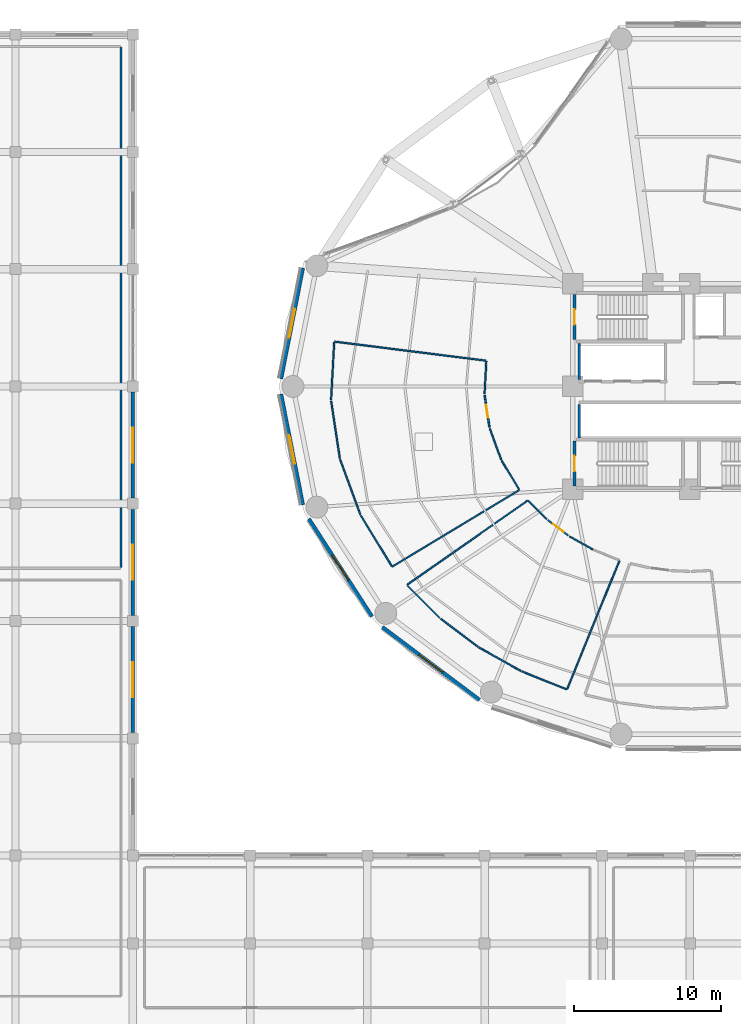
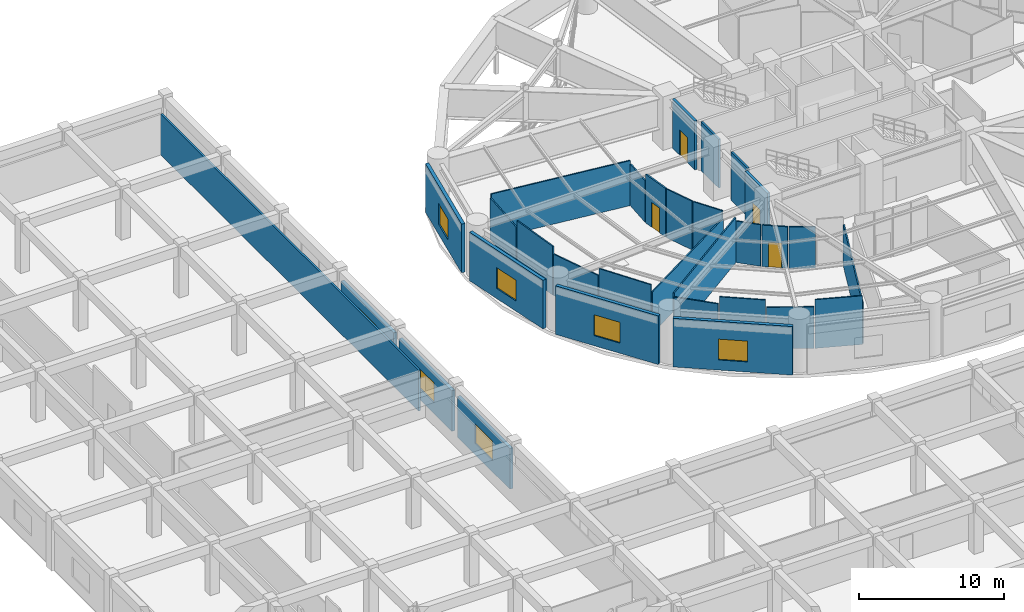
# One storey, part 42 of 53: 31 walls, 7 windows, 4 doors, 11 openings.
"""IFC4 building model written with IfcOpenShell, lengths in metres."""

from ifc_helpers import new_model, si_unit, direction, frame, frame_2d, origin, place, context, subcontext, project, spatial, rectangle, extrude, material, layer, layer_set, type_object, element, fill, save


model = new_model("IFC4")

# Units and contexts
model_context = context("Model", 3, precision=1e-05, world=origin(), true_north=direction((0.0, 1.0)))
body_context = subcontext(model_context, "Body", "Model", "MODEL_VIEW")
ifc_project = project(units=[si_unit("LENGTHUNIT", "METRE"), si_unit("AREAUNIT", "SQUARE_METRE"), si_unit("VOLUMEUNIT", "CUBIC_METRE"), si_unit("PLANEANGLEUNIT", "RADIAN"), si_unit("MASSUNIT", "GRAM", prefix="KILO")], contexts=[model_context])

# Site, building, storey
site_placement = place(None, origin())
site = spatial("IfcSite", under=ifc_project, at=site_placement, CompositionType="ELEMENT")
building_placement = place(site_placement, origin())
building = spatial("IfcBuilding", under=site, at=building_placement, Name="Kelanora Arch Commons", CompositionType="ELEMENT")
storey_placement = place(building_placement, frame((0.0, 0.0, 9.0)))
storey = spatial("IfcBuildingStorey", under=building, at=storey_placement, Name="L02", CompositionType="ELEMENT", Elevation=9.0)

# Walls
ifc_material_1 = material(Name="Autoclaved aerated concrete blockwork with fire plaster", Category="masonry")
ifc_layer_1 = layer(ifc_material_1, 0.14990234375)
ifc_layer_set_1 = layer_set([ifc_layer_1], Name="Autoclaved aerated concrete blockwork with fire plaster")
wall_type_1 = type_object("IfcWallType", Name="W-COMP-150", PredefinedType="PARTITIONING", material=ifc_layer_set_1)
wall_1_placement = place(storey_placement, frame((66.4599609375, 58.47998046875, 0.0), z_axis=(0.0, 0.0, 1.0), x_axis=(0.0, 1.0, 0.0)))
element("IfcWall", 1, at=wall_1_placement, inside=storey, type_object=wall_type_1, Name="Low-Rise Lift Bank West Wall L02", PredefinedType="PARTITIONING", context=body_context, shape_type="SweptSolid", body=[
    extrude(rectangle(XDim=2.4599609375, YDim=0.14990234375, at=frame_2d((1.22998046875, 0.0))), origin(), (0.0, 0.0, 1.0), 4.090087890625),
])
wall_2_placement = place(storey_placement, frame((66.4599609375, 54.47998046875, 0.0), z_axis=(0.0, 0.0, 1.0), x_axis=(0.0, 1.0, 0.0)))
element("IfcWall", 2, at=wall_2_placement, inside=storey, type_object=wall_type_1, Name="South Lift Bank West Wall L02", PredefinedType="PARTITIONING", context=body_context, shape_type="SweptSolid", body=[
    extrude(rectangle(XDim=2.2900390625, YDim=0.14990234375, at=frame_2d((1.14501953125, 0.0))), origin(), (0.0, 0.0, 1.0), 4.090087890625),
])
wall_3_placement = place(storey_placement, frame((35.199951171875, 45.639892578125, 0.0), z_axis=(0.0, 0.0, 1.0), x_axis=(0.0, 1.0, 0.0)))
element("IfcWall", 3, at=wall_3_placement, inside=storey, type_object=wall_type_1, Name="Market Maker Kiln and Material Store L02 Enclosure Partition 2", PredefinedType="PARTITIONING", context=body_context, shape_type="SweptSolid", body=[
    extrude(rectangle(XDim=35.52001953125, YDim=0.14990234375, at=frame_2d((17.760009765625, 0.0))), origin(), (0.0, 0.0, 1.0), 3.425048828125),
])

# Wall, opening, window
ifc_material_2 = material(Name="Precast concrete C40/50 with terracotta ceramic cladding", Category="masonry")
ifc_layer_2 = layer(ifc_material_2, 0.25)
ifc_layer_set_2 = layer_set([ifc_layer_2], Name="Precast concrete C40/50 with terracotta ceramic cladding")
wall_type_2 = type_object("IfcWallType", Name="W-EXT-MKT", PredefinedType="SOLIDWALL", material=ifc_layer_set_2)
wall_4_placement = place(storey_placement, frame((36.0, 34.3798828125, 0.0), z_axis=(0.0, 0.0, 1.0), x_axis=(0.0, 1.0, 0.0)))
wall_4 = element("IfcWall", 4, at=wall_4_placement, inside=storey, type_object=wall_type_2, Name="Market Hall Exterior Wall L02-24", PredefinedType="SOLIDWALL", context=body_context, shape_type="SweptSolid", body=[
    extrude(rectangle(XDim=7.240234375, YDim=0.25, at=frame_2d((3.6201171875, 0.0))), origin(), (0.0, 0.0, 1.0), 3.419921875),
])
opening_1_placement = place(wall_4_placement, frame((2.419921875, 0.0, 0.949951171875)))
opening_1 = element("IfcOpeningElement", 5, at=opening_1_placement, cuts=wall_4, Name="Opening WN-03", PredefinedType="OPENING", context=body_context, shape_type="SweptSolid", body=[
    extrude(rectangle(XDim=2.39990234375, YDim=1.64990234375, at=frame_2d((1.199951171875, 0.824951171875))), frame((0.0, 0.135009765625, 0.0), z_axis=(0.0, -1.0, 0.0), x_axis=(1.0, 0.0, 0.0)), (0.0, 0.0, 1.0), 0.27001953125),
])
ifc_material_3 = material(Name="Bronze-terracotta aluminium monsoon clerestory window", Category="masonry")
window_type_1 = type_object("IfcWindowType", Name="WIN-MKT-24", PartitioningType="TRIPLE_PANEL_VERTICAL", PredefinedType="WINDOW", material=ifc_material_3)
window_1_placement = place(opening_1_placement, origin())
window_1 = element("IfcWindow", 6, at=window_1_placement, inside=storey, type_object=window_type_1, Name="Market Hall Clerestory Window L02-24", OverallHeight=1.64990234375, OverallWidth=2.39990234375, PartitioningType="SINGLE_PANEL", PredefinedType="WINDOW", context=body_context, shape_type="SweptSolid", body=[
    extrude(rectangle(XDim=2.39990234375, YDim=1.64990234375, at=frame_2d((1.199951171875, 0.824951171875))), frame((0.0, 0.030029296875, 0.0), z_axis=(0.0, -1.0, 0.0), x_axis=(1.0, 0.0, 0.0)), (0.0, 0.0, 1.0), 0.06005859375),
])
fill(opening_1, window_1)

wall_5_placement = place(storey_placement, frame((36.0, 42.3798828125, 0.0), z_axis=(0.0, 0.0, 1.0), x_axis=(0.0, 1.0, 0.0)))
wall_5 = element("IfcWall", 7, at=wall_5_placement, inside=storey, type_object=wall_type_2, Name="Market Hall Exterior Wall L02-25", PredefinedType="SOLIDWALL", context=body_context, shape_type="SweptSolid", body=[
    extrude(rectangle(XDim=7.240234375, YDim=0.25, at=frame_2d((3.6201171875, 0.0))), origin(), (0.0, 0.0, 1.0), 3.419921875),
])
opening_2_placement = place(wall_5_placement, frame((2.419921875, 0.0, 0.949951171875)))
opening_2 = element("IfcOpeningElement", 8, at=opening_2_placement, cuts=wall_5, Name="Opening WN-03", PredefinedType="OPENING", context=body_context, shape_type="SweptSolid", body=[
    extrude(rectangle(XDim=2.39990234375, YDim=1.64990234375, at=frame_2d((1.199951171875, 0.824951171875))), frame((0.0, 0.135009765625, 0.0), z_axis=(0.0, -1.0, 0.0), x_axis=(1.0, 0.0, 0.0)), (0.0, 0.0, 1.0), 0.27001953125),
])
window_2_placement = place(opening_2_placement, origin())
window_2 = element("IfcWindow", 9, at=window_2_placement, inside=storey, type_object=window_type_1, Name="Market Hall Clerestory Window L02-25", OverallHeight=1.64990234375, OverallWidth=2.39990234375, PartitioningType="SINGLE_PANEL", PredefinedType="WINDOW", context=body_context, shape_type="SweptSolid", body=[
    extrude(rectangle(XDim=2.39990234375, YDim=1.64990234375, at=frame_2d((1.199951171875, 0.824951171875))), frame((0.0, 0.030029296875, 0.0), z_axis=(0.0, -1.0, 0.0), x_axis=(1.0, 0.0, 0.0)), (0.0, 0.0, 1.0), 0.06005859375),
])
fill(opening_2, window_2)

wall_6_placement = place(storey_placement, frame((36.0, 50.3798828125, 0.0), z_axis=(0.0, 0.0, 1.0), x_axis=(0.0, 1.0, 0.0)))
wall_6 = element("IfcWall", 10, at=wall_6_placement, inside=storey, type_object=wall_type_2, Name="Market Hall Exterior Wall L02-26", PredefinedType="SOLIDWALL", context=body_context, shape_type="SweptSolid", body=[
    extrude(rectangle(XDim=7.240234375, YDim=0.25, at=frame_2d((3.6201171875, 0.0))), origin(), (0.0, 0.0, 1.0), 3.419921875),
])
opening_3_placement = place(wall_6_placement, frame((2.419921875, 0.0, 0.949951171875)))
opening_3 = element("IfcOpeningElement", 11, at=opening_3_placement, cuts=wall_6, Name="Opening WN-03", PredefinedType="OPENING", context=body_context, shape_type="SweptSolid", body=[
    extrude(rectangle(XDim=2.39990234375, YDim=1.64990234375, at=frame_2d((1.199951171875, 0.824951171875))), frame((0.0, 0.135009765625, 0.0), z_axis=(0.0, -1.0, 0.0), x_axis=(1.0, 0.0, 0.0)), (0.0, 0.0, 1.0), 0.27001953125),
])
window_3_placement = place(opening_3_placement, origin())
window_3 = element("IfcWindow", 12, at=window_3_placement, inside=storey, type_object=window_type_1, Name="Market Hall Clerestory Window L02-26", OverallHeight=1.64990234375, OverallWidth=2.39990234375, PartitioningType="SINGLE_PANEL", PredefinedType="WINDOW", context=body_context, shape_type="SweptSolid", body=[
    extrude(rectangle(XDim=2.39990234375, YDim=1.64990234375, at=frame_2d((1.199951171875, 0.824951171875))), frame((0.0, 0.030029296875, 0.0), z_axis=(0.0, -1.0, 0.0), x_axis=(1.0, 0.0, 0.0)), (0.0, 0.0, 1.0), 0.06005859375),
])
fill(opening_3, window_3)

ifc_material_4 = material(Name="Precast concrete C40/50 with terracotta rainscreen", Category="masonry")
ifc_layer_3 = layer(ifc_material_4, 0.260009765625)
ifc_layer_set_3 = layer_set([ifc_layer_3], Name="Precast concrete C40/50 with terracotta rainscreen")
wall_type_3 = type_object("IfcWallType", Name="W-EXT-TC", PredefinedType="SOLIDWALL", material=ifc_layer_set_3)
wall_7_placement = place(storey_placement, frame((47.595703125, 66.080078125, 0.0), z_axis=(0.0, 0.0, 1.0), x_axis=(-0.193726159581, -0.98105564322, 0.0)))
wall_7 = element("IfcWall", 13, at=wall_7_placement, inside=storey, type_object=wall_type_3, Name="Terracotta Exterior Wall L02-B08", PredefinedType="SOLIDWALL", context=body_context, shape_type="SweptSolid", body=[
    extrude(rectangle(XDim=7.70263671875, YDim=0.260009765625, at=frame_2d((3.851318359375, 0.0))), origin(), (0.0, 0.0, 1.0), 4.0849609375),
])
opening_4_placement = place(wall_7_placement, frame((2.85107421875, 0.0, 0.85009765625)))
opening_4 = element("IfcOpeningElement", 14, at=opening_4_placement, cuts=wall_7, Name="Opening WN-05", PredefinedType="OPENING", context=body_context, shape_type="SweptSolid", body=[
    extrude(rectangle(XDim=2.0, YDim=1.75, at=frame_2d((1.0, 0.875))), frame((0.0, 0.14013671875, 0.0), z_axis=(0.0, -1.0, 0.0), x_axis=(1.0, 0.0, 0.0)), (0.0, 0.0, 1.0), 0.280029296875),
])
ifc_material_5 = material(Name="Terracotta-anodised aluminium podium window", Category="masonry")
window_type_2 = type_object("IfcWindowType", Name="WIN-POD-20", PartitioningType="TRIPLE_PANEL_VERTICAL", PredefinedType="WINDOW", material=ifc_material_5)
window_4_placement = place(opening_4_placement, origin())
window_4 = element("IfcWindow", 15, at=window_4_placement, inside=storey, type_object=window_type_2, Name="Podium Window L02-B08", OverallHeight=1.75, OverallWidth=2.0, PartitioningType="SINGLE_PANEL", PredefinedType="WINDOW", context=body_context, shape_type="SweptSolid", body=[
    extrude(rectangle(XDim=2.0, YDim=1.75, at=frame_2d((1.0, 0.875))), frame((0.0, 0.030029296875, 0.0), z_axis=(0.0, -1.0, 0.0), x_axis=(1.0, 0.0, 0.0)), (0.0, 0.0, 1.0), 0.06005859375),
])
fill(opening_4, window_4)

wall_8_placement = place(storey_placement, frame((46.103515625, 57.4765625, 0.0), z_axis=(0.0, 0.0, 1.0), x_axis=(0.193726159581, -0.98105564322, 0.0)))
wall_8 = element("IfcWall", 16, at=wall_8_placement, inside=storey, type_object=wall_type_3, Name="Terracotta Exterior Wall L02-B09", PredefinedType="SOLIDWALL", context=body_context, shape_type="SweptSolid", body=[
    extrude(rectangle(XDim=7.70263671875, YDim=0.260009765625, at=frame_2d((3.851318359375, 0.0))), origin(), (0.0, 0.0, 1.0), 4.0849609375),
])
opening_5_placement = place(wall_8_placement, frame((2.85107421875, 0.0, 0.85009765625)))
opening_5 = element("IfcOpeningElement", 17, at=opening_5_placement, cuts=wall_8, Name="Opening WN-05", PredefinedType="OPENING", context=body_context, shape_type="SweptSolid", body=[
    extrude(rectangle(XDim=2.0, YDim=1.75, at=frame_2d((1.0, 0.875))), frame((0.0, 0.14013671875, 0.0), z_axis=(0.0, -1.0, 0.0), x_axis=(1.0, 0.0, 0.0)), (0.0, 0.0, 1.0), 0.280029296875),
])
window_5_placement = place(opening_5_placement, origin())
window_5 = element("IfcWindow", 18, at=window_5_placement, inside=storey, type_object=window_type_2, Name="Podium Window L02-B09", OverallHeight=1.75, OverallWidth=2.0, PartitioningType="SINGLE_PANEL", PredefinedType="WINDOW", context=body_context, shape_type="SweptSolid", body=[
    extrude(rectangle(XDim=2.0, YDim=1.75, at=frame_2d((1.0, 0.875))), frame((0.0, 0.030029296875, 0.0), z_axis=(0.0, -1.0, 0.0), x_axis=(1.0, 0.0, 0.0)), (0.0, 0.0, 1.0), 0.06005859375),
])
fill(opening_5, window_5)

wall_9_placement = place(storey_placement, frame((48.000732421875, 48.966796875, 0.0), z_axis=(0.0, 0.0, 1.0), x_axis=(0.543005114258, -0.839729388488, 0.0)))
wall_9 = element("IfcWall", 19, at=wall_9_placement, inside=storey, type_object=wall_type_3, Name="Terracotta Exterior Wall L02-B10", PredefinedType="SOLIDWALL", context=body_context, shape_type="SweptSolid", body=[
    extrude(rectangle(XDim=7.9375, YDim=0.260009765625, at=frame_2d((3.96875, 0.0))), origin(), (0.0, 0.0, 1.0), 4.0849609375),
])
opening_6_placement = place(wall_9_placement, frame((2.968994140625, 0.0, 0.85009765625)))
opening_6 = element("IfcOpeningElement", 20, at=opening_6_placement, cuts=wall_9, Name="Opening WN-05", PredefinedType="OPENING", context=body_context, shape_type="SweptSolid", body=[
    extrude(rectangle(XDim=2.0, YDim=1.75, at=frame_2d((1.0, 0.875))), frame((0.0, 0.14013671875, 0.0), z_axis=(0.0, -1.0, 0.0), x_axis=(1.0, 0.0, 0.0)), (0.0, 0.0, 1.0), 0.280029296875),
])
window_6_placement = place(opening_6_placement, origin())
window_6 = element("IfcWindow", 21, at=window_6_placement, inside=storey, type_object=window_type_2, Name="Podium Window L02-B10", OverallHeight=1.75, OverallWidth=2.0, PartitioningType="SINGLE_PANEL", PredefinedType="WINDOW", context=body_context, shape_type="SweptSolid", body=[
    extrude(rectangle(XDim=2.0, YDim=1.75, at=frame_2d((1.0, 0.875))), frame((0.0, 0.030029296875, 0.0), z_axis=(0.0, -1.0, 0.0), x_axis=(1.0, 0.0, 0.0)), (0.0, 0.0, 1.0), 0.06005859375),
])
fill(opening_6, window_6)

wall_10_placement = place(storey_placement, frame((53.01611328125, 41.581787109375, 0.0), z_axis=(0.0, 0.0, 1.0), x_axis=(0.80030733173, -0.599590005569, 0.0)))
wall_10 = element("IfcWall", 22, at=wall_10_placement, inside=storey, type_object=wall_type_3, Name="Terracotta Exterior Wall L02-B11", PredefinedType="SOLIDWALL", context=body_context, shape_type="SweptSolid", body=[
    extrude(rectangle(XDim=8.29052734375, YDim=0.260009765625, at=frame_2d((4.145263671875, 0.0))), origin(), (0.0, 0.0, 1.0), 4.0849609375),
])
opening_7_placement = place(wall_10_placement, frame((3.14501953125, 0.0, 0.85009765625)))
opening_7 = element("IfcOpeningElement", 23, at=opening_7_placement, cuts=wall_10, Name="Opening WN-05", PredefinedType="OPENING", context=body_context, shape_type="SweptSolid", body=[
    extrude(rectangle(XDim=2.0, YDim=1.75, at=frame_2d((1.0, 0.875))), frame((0.0, 0.14013671875, 0.0), z_axis=(0.0, -1.0, 0.0), x_axis=(1.0, 0.0, 0.0)), (0.0, 0.0, 1.0), 0.280029296875),
])
window_7_placement = place(opening_7_placement, origin())
window_7 = element("IfcWindow", 24, at=window_7_placement, inside=storey, type_object=window_type_2, Name="Podium Window L02-B11", OverallHeight=1.75, OverallWidth=2.0, PartitioningType="SINGLE_PANEL", PredefinedType="WINDOW", context=body_context, shape_type="SweptSolid", body=[
    extrude(rectangle(XDim=2.0, YDim=1.75, at=frame_2d((1.0, 0.875))), frame((0.0, 0.030029296875, 0.0), z_axis=(0.0, -1.0, 0.0), x_axis=(1.0, 0.0, 0.0)), (0.0, 0.0, 1.0), 0.06005859375),
])
fill(opening_7, window_7)

# Walls
ifc_material_6 = material(Name="Lightweight fire-rated acoustic stud partition")
ifc_layer_4 = layer(ifc_material_6, 0.10009765625)
ifc_layer_set_4 = layer_set([ifc_layer_4], Name="Lightweight fire-rated acoustic stud partition")
wall_type_4 = type_object("IfcWallType", Name="W-PART-100", PredefinedType="PARTITIONING", material=ifc_layer_set_4)
wall_11_placement = place(storey_placement, frame((60.114013671875, 59.716064453125, 0.0), z_axis=(0.0, 0.0, 1.0), x_axis=(-0.05333481531, -0.998576685826, 0.0)))
element("IfcWall", 25, at=wall_11_placement, inside=storey, type_object=wall_type_4, Name="West Horizon Culinary Dining Hall L02-B Enclosure Partition 1", PredefinedType="PARTITIONING", context=body_context, shape_type="SweptSolid", body=[
    extrude(rectangle(XDim=2.229248046875, YDim=0.10009765625, at=frame_2d((1.11474609375, 0.0))), origin(), (0.0, 0.0, 1.0), 3.485107421875),
])
wall_12_placement = place(storey_placement, frame((60.352783203125, 55.123291015625, 0.0), z_axis=(0.0, 0.0, 1.0), x_axis=(0.344210122117, -0.938892641271, 0.0)))
element("IfcWall", 26, at=wall_12_placement, inside=storey, type_object=wall_type_4, Name="West Horizon Culinary Dining Hall L02-B Enclosure Partition 3", PredefinedType="PARTITIONING", context=body_context, shape_type="SweptSolid", body=[
    extrude(rectangle(XDim=2.255615234375, YDim=0.10009765625, at=frame_2d((1.1279296875, 0.0))), origin(), (0.0, 0.0, 1.0), 4.090087890625),
])
wall_13_placement = place(storey_placement, frame((61.163818359375, 52.933837890625, 0.0), z_axis=(0.0, 0.0, 1.0), x_axis=(0.520406594215, -0.853918600745, 0.0)))
element("IfcWall", 27, at=wall_13_placement, inside=storey, type_object=wall_type_4, Name="West Horizon Culinary Dining Hall L02-B Enclosure Partition 4", PredefinedType="PARTITIONING", context=body_context, shape_type="SweptSolid", body=[
    extrude(rectangle(XDim=2.291259765625, YDim=0.10009765625, at=frame_2d((1.1455078125, 0.0))), origin(), (0.0, 0.0, 1.0), 4.090087890625),
])
wall_14_placement = place(storey_placement, frame((62.3427734375, 50.92236328125, 0.0), z_axis=(0.0, 0.0, 1.0), x_axis=(-0.856094808971, -0.516818805824, 0.0)))
element("IfcWall", 28, at=wall_14_placement, inside=storey, type_object=wall_type_4, Name="West Horizon Culinary Dining Hall L02-B Enclosure Partition 5", PredefinedType="PARTITIONING", context=body_context, shape_type="SweptSolid", body=[
    extrude(rectangle(XDim=10.068603515625, YDim=0.10009765625, at=frame_2d((5.0341796875, 0.0))), origin(), (0.0, 0.0, 1.0), 3.485107421875),
])
wall_15_placement = place(storey_placement, frame((53.668212890625, 45.732177734375, 0.0), z_axis=(0.0, 0.0, 1.0), x_axis=(-0.521408625916, 0.853307122214, 0.0)))
element("IfcWall", 29, at=wall_15_placement, inside=storey, type_object=wall_type_4, Name="West Horizon Culinary Dining Hall L02-B Enclosure Partition 6", PredefinedType="PARTITIONING", context=body_context, shape_type="SweptSolid", body=[
    extrude(rectangle(XDim=4.056884765625, YDim=0.10009765625, at=frame_2d((2.0283203125, 0.0))), origin(), (0.0, 0.0, 1.0), 4.090087890625),
])
wall_16_placement = place(storey_placement, frame((51.518310546875, 49.265380859375, 0.0), z_axis=(0.0, 0.0, 1.0), x_axis=(-0.344736099128, 0.938699644166, 0.0)))
element("IfcWall", 30, at=wall_16_placement, inside=storey, type_object=wall_type_4, Name="West Horizon Culinary Dining Hall L02-B Enclosure Partition 7", PredefinedType="PARTITIONING", context=body_context, shape_type="SweptSolid", body=[
    extrude(rectangle(XDim=3.992919921875, YDim=0.10009765625, at=frame_2d((1.99658203125, 0.0))), origin(), (0.0, 0.0, 1.0), 3.485107421875),
])
wall_17_placement = place(storey_placement, frame((50.1220703125, 53.090576171875, 0.0), z_axis=(0.0, 0.0, 1.0), x_axis=(-0.149955338252, 0.988692771557, 0.0)))
element("IfcWall", 31, at=wall_17_placement, inside=storey, type_object=wall_type_4, Name="West Horizon Culinary Dining Hall L02-B Enclosure Partition 8", PredefinedType="PARTITIONING", context=body_context, shape_type="SweptSolid", body=[
    extrude(rectangle(XDim=3.95458984375, YDim=0.10009765625, at=frame_2d((1.977294921875, 0.0))), origin(), (0.0, 0.0, 1.0), 4.090087890625),
])
wall_18_placement = place(storey_placement, frame((49.525146484375, 57.079833984375, 0.0), z_axis=(0.0, 0.0, 1.0), x_axis=(0.053366992585, 0.998574966691, 0.0)))
element("IfcWall", 32, at=wall_18_placement, inside=storey, type_object=wall_type_4, Name="West Horizon Culinary Dining Hall L02-B Enclosure Partition 9", PredefinedType="PARTITIONING", context=body_context, shape_type="SweptSolid", body=[
    extrude(rectangle(XDim=3.947998046875, YDim=0.10009765625, at=frame_2d((1.97412109375, 0.0))), origin(), (0.0, 0.0, 1.0), 3.485107421875),
])
wall_19_placement = place(storey_placement, frame((49.777587890625, 61.056884765625, 0.0), z_axis=(0.0, 0.0, 1.0), x_axis=(0.992176227872, -0.124845235576, 0.0)))
element("IfcWall", 33, at=wall_19_placement, inside=storey, type_object=wall_type_4, Name="West Horizon Culinary Dining Hall L02-B Enclosure Partition 10", PredefinedType="PARTITIONING", context=body_context, shape_type="SweptSolid", body=[
    extrude(rectangle(XDim=10.380126953125, YDim=0.10009765625, at=frame_2d((5.18994140625, 0.0))), origin(), (0.0, 0.0, 1.0), 3.784912109375),
])
wall_20_placement = place(storey_placement, frame((62.980224609375, 50.20166015625, 0.0), z_axis=(0.0, 0.0, 1.0), x_axis=(0.707382510062, -0.706830944752, 0.0)))
element("IfcWall", 34, at=wall_20_placement, inside=storey, type_object=wall_type_4, Name="Student Laundromat and Fitness Studio L02-C Enclosure Partition 1", PredefinedType="PARTITIONING", context=body_context, shape_type="SweptSolid", body=[
    extrude(rectangle(XDim=1.7705078125, YDim=0.10009765625, at=frame_2d((0.88525390625, 0.0))), origin(), (0.0, 0.0, 1.0), 3.485107421875),
])
wall_21_placement = place(storey_placement, frame((65.7939453125, 47.7705078125, 0.0), z_axis=(0.0, 0.0, 1.0), x_axis=(0.871593417153, -0.490229451559, 0.0)))
element("IfcWall", 35, at=wall_21_placement, inside=storey, type_object=wall_type_4, Name="Student Laundromat and Fitness Studio L02-C Enclosure Partition 3", PredefinedType="PARTITIONING", context=body_context, shape_type="SweptSolid", body=[
    extrude(rectangle(XDim=1.8232421875, YDim=0.10009765625, at=frame_2d((0.91162109375, 0.0))), origin(), (0.0, 0.0, 1.0), 3.485107421875),
])
wall_22_placement = place(storey_placement, frame((69.18994140625, 46.10400390625, 0.0), z_axis=(0.0, 0.0, 1.0), x_axis=(-0.376680340497, -0.926343306276, 0.0)))
element("IfcWall", 36, at=wall_22_placement, inside=storey, type_object=wall_type_4, Name="Student Laundromat and Fitness Studio L02-C Enclosure Partition 5", PredefinedType="PARTITIONING", context=body_context, shape_type="SweptSolid", body=[
    extrude(rectangle(XDim=9.434814453125, YDim=0.10009765625, at=frame_2d((4.71728515625, 0.0))), origin(), (0.0, 0.0, 1.0), 3.485107421875),
])
wall_23_placement = place(storey_placement, frame((65.583984375, 37.341796875, 0.0), z_axis=(0.0, 0.0, 1.0), x_axis=(-0.928584342938, 0.371121433024, 0.0)))
element("IfcWall", 37, at=wall_23_placement, inside=storey, type_object=wall_type_4, Name="Student Laundromat and Fitness Studio L02-C Enclosure Partition 6", PredefinedType="PARTITIONING", context=body_context, shape_type="SweptSolid", body=[
    extrude(rectangle(XDim=3.283203125, YDim=0.10009765625, at=frame_2d((1.6416015625, 0.0))), origin(), (0.0, 0.0, 1.0), 4.090087890625),
])
wall_24_placement = place(storey_placement, frame((62.463134765625, 38.594482421875, 0.0), z_axis=(0.0, 0.0, 1.0), x_axis=(-0.872051400069, 0.489414298563, 0.0)))
element("IfcWall", 38, at=wall_24_placement, inside=storey, type_object=wall_type_4, Name="Student Laundromat and Fitness Studio L02-C Enclosure Partition 7", PredefinedType="PARTITIONING", context=body_context, shape_type="SweptSolid", body=[
    extrude(rectangle(XDim=3.244384765625, YDim=0.10009765625, at=frame_2d((1.6220703125, 0.0))), origin(), (0.0, 0.0, 1.0), 3.485107421875),
])
wall_25_placement = place(storey_placement, frame((59.567138671875, 40.22607421875, 0.0), z_axis=(0.0, 0.0, 1.0), x_axis=(-0.79862386003, 0.601830482936, 0.0)))
element("IfcWall", 39, at=wall_25_placement, inside=storey, type_object=wall_type_4, Name="Student Laundromat and Fitness Studio L02-C Enclosure Partition 8", PredefinedType="PARTITIONING", context=body_context, shape_type="SweptSolid", body=[
    extrude(rectangle(XDim=3.1982421875, YDim=0.10009765625, at=frame_2d((1.59912109375, 0.0))), origin(), (0.0, 0.0, 1.0), 4.090087890625),
])
wall_26_placement = place(storey_placement, frame((56.95263671875, 42.203125, 0.0), z_axis=(0.0, 0.0, 1.0), x_axis=(-0.708152537588, 0.7060594759, 0.0)))
element("IfcWall", 40, at=wall_26_placement, inside=storey, type_object=wall_type_4, Name="Student Laundromat and Fitness Studio L02-C Enclosure Partition 9", PredefinedType="PARTITIONING", context=body_context, shape_type="SweptSolid", body=[
    extrude(rectangle(XDim=3.1494140625, YDim=0.10009765625, at=frame_2d((1.57470703125, 0.0))), origin(), (0.0, 0.0, 1.0), 3.485107421875),
])
wall_27_placement = place(storey_placement, frame((54.726806640625, 44.477783203125, 0.0), z_axis=(0.0, 0.0, 1.0), x_axis=(0.819486544078, 0.573098424422, 0.0)))
element("IfcWall", 41, at=wall_27_placement, inside=storey, type_object=wall_type_4, Name="Student Laundromat and Fitness Studio L02-C Enclosure Partition 10", PredefinedType="PARTITIONING", context=body_context, shape_type="SweptSolid", body=[
    extrude(rectangle(XDim=9.9970703125, YDim=0.10009765625, at=frame_2d((4.99853515625, 0.0))), origin(), (0.0, 0.0, 1.0), 3.784912109375),
])

# Wall, opening, door
ifc_material_7 = material(Name="Acoustic twin-stud fire-rated gypsum partition")
ifc_layer_5 = layer(ifc_material_7, 0.1201171875)
ifc_layer_set_5 = layer_set([ifc_layer_5], Name="Acoustic twin-stud fire-rated gypsum partition")
wall_type_5 = type_object("IfcWallType", Name="W-PART-120", PredefinedType="PARTITIONING", material=ifc_layer_set_5)
wall_28_placement = place(storey_placement, frame((60.001953125, 57.390625, 0.0), z_axis=(0.0, 0.0, 1.0), x_axis=(0.149482487924, -0.988764373248, 0.0)))
wall_28 = element("IfcWall", 42, at=wall_28_placement, inside=storey, type_object=wall_type_5, Name="West Horizon Culinary Dining Hall L02-B Entry Partition", PredefinedType="PARTITIONING", context=body_context, shape_type="SweptSolid", body=[
    extrude(rectangle(XDim=2.195068359375, YDim=0.1201171875, at=frame_2d((1.09765625, 0.0))), origin(), (0.0, 0.0, 1.0), 4.090087890625),
])
opening_8_placement = place(wall_28_placement, frame((0.64794921875, 0.0, 0.0)))
opening_8 = element("IfcOpeningElement", 43, at=opening_8_placement, cuts=wall_28, Name="Opening D-RM1", PredefinedType="OPENING", context=body_context, shape_type="SweptSolid", body=[
    extrude(rectangle(XDim=0.89990234375, YDim=2.080078125, at=frame_2d((0.449951171875, 1.0400390625))), frame((0.0, 0.070068359375, 0.0), z_axis=(0.0, -1.0, 0.0), x_axis=(1.0, 0.0, 0.0)), (0.0, 0.0, 1.0), 0.14013671875),
])
ifc_material_8 = material(Name="Acoustic fire-rated timber study and lounge door", Category="wood")
door_type_1 = type_object("IfcDoorType", Name="D-ROOM-90", OperationType="NOTDEFINED", PredefinedType="DOOR", material=ifc_material_8)
door_1_placement = place(opening_8_placement, origin())
door_1 = element("IfcDoor", 44, at=door_1_placement, inside=storey, type_object=door_type_1, Name="West Horizon Culinary Dining Hall L02-B Door", OperationType="SINGLE_SWING_LEFT", OverallHeight=2.080078125, OverallWidth=0.89990234375, PredefinedType="DOOR", context=body_context, shape_type="SweptSolid", body=[
    extrude(rectangle(XDim=0.89990234375, YDim=2.080078125, at=frame_2d((0.449951171875, 1.0400390625))), frame((0.0, 0.02490234375, 0.0), z_axis=(0.0, -1.0, 0.0), x_axis=(1.0, 0.0, 0.0)), (0.0, 0.0, 1.0), 0.050048828125),
])
fill(opening_8, door_1)

wall_29_placement = place(storey_placement, frame((64.308837890625, 48.8857421875, 0.0), z_axis=(0.0, 0.0, 1.0), x_axis=(0.797861385226, -0.602840949144, 0.0)))
wall_29 = element("IfcWall", 45, at=wall_29_placement, inside=storey, type_object=wall_type_5, Name="Student Laundromat and Fitness Studio L02-C Entry Partition", PredefinedType="PARTITIONING", context=body_context, shape_type="SweptSolid", body=[
    extrude(rectangle(XDim=1.757568359375, YDim=0.1201171875, at=frame_2d((0.87890625, 0.0))), origin(), (0.0, 0.0, 1.0), 3.485107421875),
])
opening_9_placement = place(wall_29_placement, frame((0.428955078125, 0.0, 0.0)))
opening_9 = element("IfcOpeningElement", 46, at=opening_9_placement, cuts=wall_29, Name="Opening D-RM1", PredefinedType="OPENING", context=body_context, shape_type="SweptSolid", body=[
    extrude(rectangle(XDim=0.89990234375, YDim=2.080078125, at=frame_2d((0.449951171875, 1.0400390625))), frame((0.0, 0.070068359375, 0.0), z_axis=(0.0, -1.0, 0.0), x_axis=(1.0, 0.0, 0.0)), (0.0, 0.0, 1.0), 0.14013671875),
])
door_2_placement = place(opening_9_placement, origin())
door_2 = element("IfcDoor", 47, at=door_2_placement, inside=storey, type_object=door_type_1, Name="Student Laundromat and Fitness Studio L02-C Door", OperationType="SINGLE_SWING_RIGHT", OverallHeight=2.080078125, OverallWidth=0.89990234375, PredefinedType="DOOR", context=body_context, shape_type="SweptSolid", body=[
    extrude(rectangle(XDim=0.89990234375, YDim=2.080078125, at=frame_2d((0.449951171875, 1.0400390625))), frame((0.0, 0.02490234375, 0.0), z_axis=(0.0, -1.0, 0.0), x_axis=(1.0, 0.0, 0.0)), (0.0, 0.0, 1.0), 0.050048828125),
])
fill(opening_9, door_2)

ifc_material_9 = material(Name="Concrete C40/50", Category="concrete")
ifc_layer_6 = layer(ifc_material_9, 0.199951171875)
ifc_layer_set_6 = layer_set([ifc_layer_6], Name="Concrete C40/50")
wall_type_6 = type_object("IfcWallType", Name="W-STAIR-200", PredefinedType="SHEAR", material=ifc_layer_set_6)
wall_30_placement = place(storey_placement, frame((66.139892578125, 64.27001953125, 0.0), z_axis=(0.0, 0.0, 1.0), x_axis=(0.0, -1.0, 0.0)))
wall_30 = element("IfcWall", 48, at=wall_30_placement, inside=storey, type_object=wall_type_6, Name="Stair ST-T1 Shaft Wall W L02", PredefinedType="SHEAR", context=body_context, shape_type="SweptSolid", body=[
    extrude(rectangle(XDim=3.070068359375, YDim=0.199951171875, at=frame_2d((1.53515625, 0.0))), origin(), (0.0, 0.0, 1.0), 4.10009765625),
])
opening_10_placement = place(wall_30_placement, frame((1.010009765625, 0.0, 0.0)))
opening_10 = element("IfcOpeningElement", 49, at=opening_10_placement, cuts=wall_30, Name="Opening D-ST1", PredefinedType="OPENING", context=body_context, shape_type="SweptSolid", body=[
    extrude(rectangle(XDim=1.050048828125, YDim=2.10009765625, at=frame_2d((0.52490234375, 1.050048828125))), frame((0.0, 0.10986328125, 0.0), z_axis=(0.0, -1.0, 0.0), x_axis=(1.0, 0.0, 0.0)), (0.0, 0.0, 1.0), 0.219970703125),
])
ifc_material_10 = material(Name="Steel fire-rated stairwell escape door", Category="steel")
door_type_2 = type_object("IfcDoorType", Name="D-STAIR-110", OperationType="NOTDEFINED", PredefinedType="DOOR", material=ifc_material_10)
door_3_placement = place(opening_10_placement, origin())
door_3 = element("IfcDoor", 50, at=door_3_placement, inside=storey, type_object=door_type_2, Name="Stair ST-T1 Escape Door L02", OperationType="SINGLE_SWING_LEFT", OverallHeight=2.10009765625, OverallWidth=1.050048828125, PredefinedType="DOOR", context=body_context, shape_type="SweptSolid", body=[
    extrude(rectangle(XDim=1.050048828125, YDim=2.10009765625, at=frame_2d((0.52490234375, 1.050048828125))), frame((0.0, 0.02490234375, 0.0), z_axis=(0.0, -1.0, 0.0), x_axis=(1.0, 0.0, 0.0)), (0.0, 0.0, 1.0), 0.050048828125),
])
fill(opening_10, door_3)

wall_31_placement = place(storey_placement, frame((66.139892578125, 54.27001953125, 0.0), z_axis=(0.0, 0.0, 1.0), x_axis=(0.0, -1.0, 0.0)))
wall_31 = element("IfcWall", 51, at=wall_31_placement, inside=storey, type_object=wall_type_6, Name="Stair ST-T3 Shaft Wall W L02", PredefinedType="SHEAR", context=body_context, shape_type="SweptSolid", body=[
    extrude(rectangle(XDim=3.070068359375, YDim=0.199951171875, at=frame_2d((1.53515625, 0.0))), origin(), (0.0, 0.0, 1.0), 4.10009765625),
])
opening_11_placement = place(wall_31_placement, frame((1.010009765625, 0.0, 0.0)))
opening_11 = element("IfcOpeningElement", 52, at=opening_11_placement, cuts=wall_31, Name="Opening D-ST1", PredefinedType="OPENING", context=body_context, shape_type="SweptSolid", body=[
    extrude(rectangle(XDim=1.050048828125, YDim=2.10009765625, at=frame_2d((0.52490234375, 1.050048828125))), frame((0.0, 0.10986328125, 0.0), z_axis=(0.0, -1.0, 0.0), x_axis=(1.0, 0.0, 0.0)), (0.0, 0.0, 1.0), 0.219970703125),
])
door_4_placement = place(opening_11_placement, origin())
door_4 = element("IfcDoor", 53, at=door_4_placement, inside=storey, type_object=door_type_2, Name="Stair ST-T3 Escape Door L02", OperationType="SINGLE_SWING_LEFT", OverallHeight=2.10009765625, OverallWidth=1.050048828125, PredefinedType="DOOR", context=body_context, shape_type="SweptSolid", body=[
    extrude(rectangle(XDim=1.050048828125, YDim=2.10009765625, at=frame_2d((0.52490234375, 1.050048828125))), frame((0.0, 0.02490234375, 0.0), z_axis=(0.0, -1.0, 0.0), x_axis=(1.0, 0.0, 0.0)), (0.0, 0.0, 1.0), 0.050048828125),
])
fill(opening_11, door_4)

save(model, "model.ifc")
